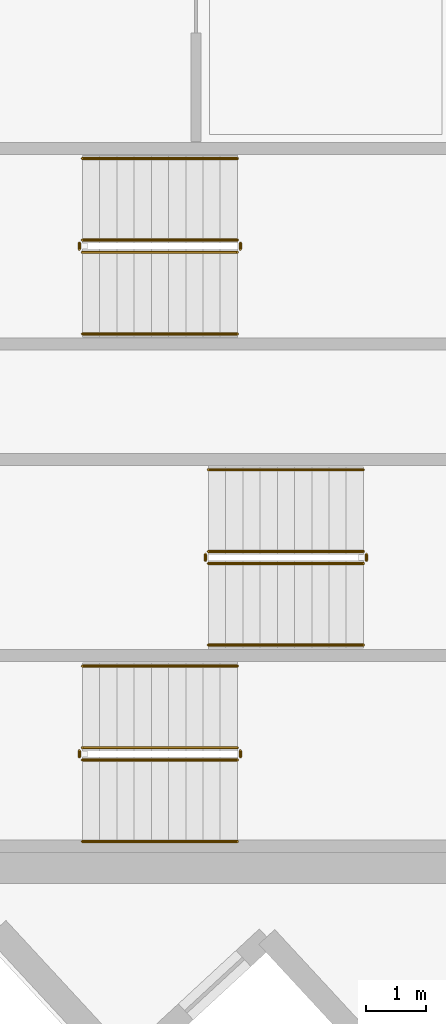
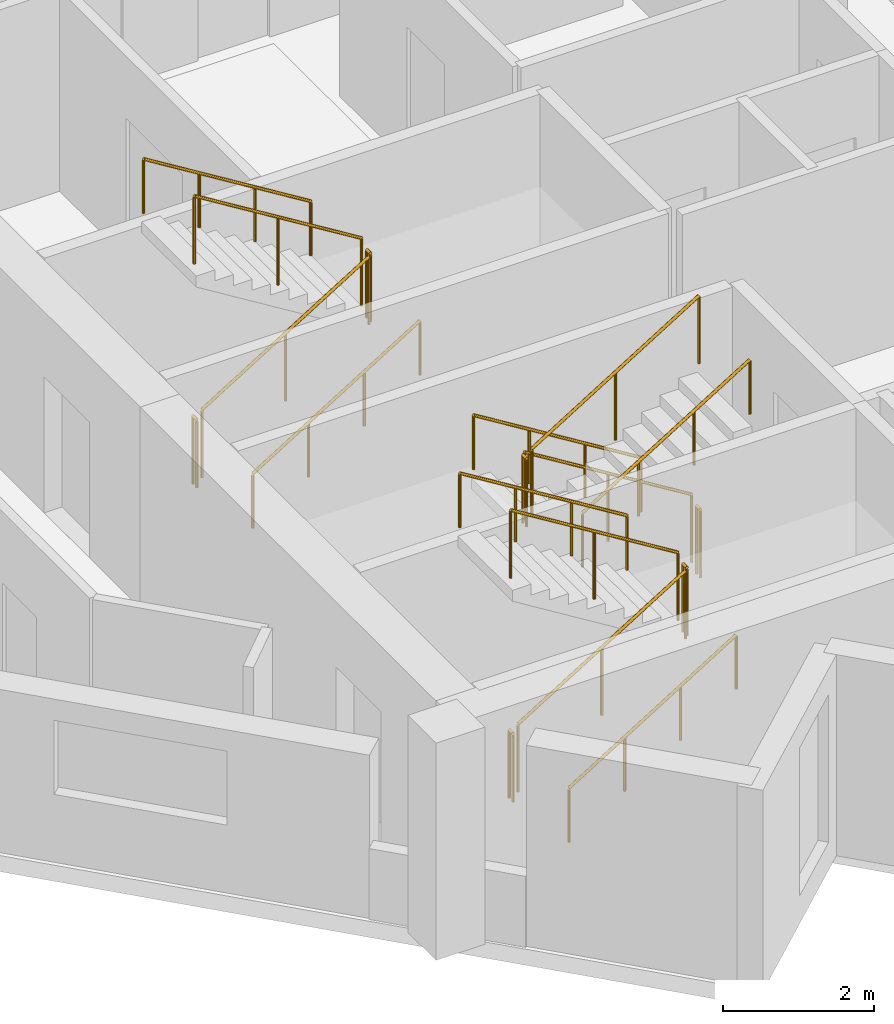
# One storey, part 12 of 13: 18 railings.
"""IFC4 building model written with IfcOpenShell, lengths in metres."""

from ifc_helpers import new_model, si_unit, direction, frame, origin, origin_2d, place, context, subcontext, project, spatial, circle, extrude, material, type_object, element, save


model = new_model("IFC4")

# Units and contexts
model_context = context("Model", 3, precision=1e-05, world=origin(), true_north=direction((0.0, 1.0)))
body_context = subcontext(model_context, "Body", "Model", "MODEL_VIEW")
ifc_project = project(units=[si_unit("LENGTHUNIT", "METRE"), si_unit("AREAUNIT", "SQUARE_METRE"), si_unit("VOLUMEUNIT", "CUBIC_METRE"), si_unit("PLANEANGLEUNIT", "RADIAN"), si_unit("MASSUNIT", "GRAM", prefix="KILO")], contexts=[model_context])

# Site, building, storey
site_placement = place(None, origin())
site = spatial("IfcSite", under=ifc_project, at=site_placement, CompositionType="ELEMENT")
building_placement = place(site_placement, origin())
building = spatial("IfcBuilding", under=site, at=building_placement, Name="Narakoshi Arena Tower", CompositionType="ELEMENT")
storey_placement = place(building_placement, frame((0.0, 0.0, 281.860107421875)))
storey = spatial("IfcBuildingStorey", under=building, at=storey_placement, Name="L77", CompositionType="ELEMENT", Elevation=281.860107421875)

# Railings
ifc_material_1 = material(Name="Clear low-iron laminated structural glass", Category="glass")
railing_type_1 = type_object("IfcRailingType", Name="RL-BAL-1100", PredefinedType="BALUSTRADE", material=ifc_material_1)
railing_1_placement = place(storey_placement, frame((74.39990234375, 36.949951171875, 0.17578125)))
element("IfcRailing", 1, at=railing_1_placement, inside=storey, type_object=railing_type_1, Name="L77 ST1 stair guard 1", PredefinedType="BALUSTRADE", context=body_context, shape_type="SweptSolid", body=[
    extrude(circle(Radius=0.02392578125, at=origin_2d()), frame((0.0, 0.0, 1.09619140625), z_axis=(0.850820357671, 0.0, 0.52545667659), x_axis=(0.0, 1.0, 0.0)), (0.0, 0.0, 1.0), 3.014892578125),
    extrude(circle(Radius=0.02099609375, at=origin_2d()), origin(), (0.0, 0.0, 1.0), 1.072021484375),
    extrude(circle(Radius=0.02099609375, at=origin_2d()), frame((1.28271484375, 0.0, 0.7919921875)), (0.0, 0.0, 1.0), 1.072021484375),
    extrude(circle(Radius=0.02099609375, at=origin_2d()), frame((2.565185546875, 0.0, 1.584228515625)), (0.0, 0.0, 1.0), 1.072021484375),
])
railing_2_placement = place(storey_placement, frame((77.014892578125, 37.0, 1.760009765625)))
element("IfcRailing", 2, at=railing_2_placement, inside=storey, type_object=railing_type_1, Name="L77 ST1 stair guard 2", PredefinedType="BALUSTRADE", context=body_context, shape_type="SweptSolid", body=[
    extrude(circle(Radius=0.02392578125, at=origin_2d()), frame((0.0, 0.0, 1.09619140625), z_axis=(0.0, 1.0, 0.0), x_axis=(-1.0, 0.0, 0.0)), (0.0, 0.0, 1.0), 0.10009765625),
    extrude(circle(Radius=0.02099609375, at=origin_2d()), origin(), (0.0, 0.0, 1.0), 1.072021484375),
    extrude(circle(Radius=0.02099609375, at=origin_2d()), frame((0.0, 0.10009765625, 0.0)), (0.0, 0.0, 1.0), 1.072021484375),
])
railing_3_placement = place(storey_placement, frame((76.965087890625, 37.14990234375, 1.935791015625)))
element("IfcRailing", 3, at=railing_3_placement, inside=storey, type_object=railing_type_1, Name="L77 ST1 stair guard 3", PredefinedType="BALUSTRADE", context=body_context, shape_type="SweptSolid", body=[
    extrude(circle(Radius=0.02392578125, at=origin_2d()), frame((0.0, 0.0, 1.09619140625), z_axis=(-0.850856559306, 0.0, 0.525398054323), x_axis=(0.0, -1.0, 0.0)), (0.0, 0.0, 1.0), 3.014892578125),
    extrude(circle(Radius=0.02099609375, at=origin_2d()), origin(), (0.0, 0.0, 1.0), 1.072021484375),
    extrude(circle(Radius=0.02099609375, at=origin_2d()), frame((-1.28271484375, 0.0, 0.7919921875)), (0.0, 0.0, 1.0), 1.072021484375),
    extrude(circle(Radius=0.02099609375, at=origin_2d()), frame((-2.565185546875, 0.0, 1.583984375)), (0.0, 0.0, 1.0), 1.072021484375),
])
railing_4_placement = place(storey_placement, frame((74.35009765625, 37.0, 0.0)))
element("IfcRailing", 4, at=railing_4_placement, inside=storey, type_object=railing_type_1, Name="L77 ST1 stair guard 4", PredefinedType="BALUSTRADE", context=body_context, shape_type="SweptSolid", body=[
    extrude(circle(Radius=0.02392578125, at=origin_2d()), frame((0.0, 0.0, 1.09619140625), z_axis=(0.0, 1.0, 0.0), x_axis=(-1.0, 0.0, 0.0)), (0.0, 0.0, 1.0), 0.10009765625),
    extrude(circle(Radius=0.02099609375, at=origin_2d()), origin(), (0.0, 0.0, 1.0), 1.072021484375),
    extrude(circle(Radius=0.02099609375, at=origin_2d()), frame((0.0, 0.10009765625, 0.0)), (0.0, 0.0, 1.0), 1.072021484375),
])
railing_5_placement = place(storey_placement, frame((79.050048828125, 40.39990234375, 0.17578125)))
element("IfcRailing", 5, at=railing_5_placement, inside=storey, type_object=railing_type_1, Name="L77 ST2 stair guard 1", PredefinedType="BALUSTRADE", context=body_context, shape_type="SweptSolid", body=[
    extrude(circle(Radius=0.02392578125, at=origin_2d()), frame((0.0, 0.0, 1.09619140625), z_axis=(-0.850797997359, 0.0, 0.525492880722), x_axis=(0.0, -1.0, 0.0)), (0.0, 0.0, 1.0), 3.0146484375),
    extrude(circle(Radius=0.02099609375, at=origin_2d()), origin(), (0.0, 0.0, 1.0), 1.072021484375),
    extrude(circle(Radius=0.02099609375, at=origin_2d()), frame((-1.282470703125, 0.0, 0.7919921875)), (0.0, 0.0, 1.0), 1.072021484375),
    extrude(circle(Radius=0.02099609375, at=origin_2d()), frame((-2.56494140625, 0.0, 1.584228515625)), (0.0, 0.0, 1.0), 1.072021484375),
])
railing_6_placement = place(storey_placement, frame((76.43505859375, 40.35009765625, 1.760009765625)))
element("IfcRailing", 6, at=railing_6_placement, inside=storey, type_object=railing_type_1, Name="L77 ST2 stair guard 2", PredefinedType="BALUSTRADE", context=body_context, shape_type="SweptSolid", body=[
    extrude(circle(Radius=0.02392578125, at=origin_2d()), frame((0.0, 0.0, 1.09619140625), z_axis=(0.0, -1.0, 0.0), x_axis=(1.0, 0.0, 0.0)), (0.0, 0.0, 1.0), 0.10009765625),
    extrude(circle(Radius=0.02099609375, at=origin_2d()), origin(), (0.0, 0.0, 1.0), 1.072021484375),
    extrude(circle(Radius=0.02099609375, at=origin_2d()), frame((0.0, -0.10009765625, 0.0)), (0.0, 0.0, 1.0), 1.072021484375),
])
railing_7_placement = place(storey_placement, frame((76.485107421875, 40.199951171875, 1.935791015625)))
element("IfcRailing", 7, at=railing_7_placement, inside=storey, type_object=railing_type_1, Name="L77 ST2 stair guard 3", PredefinedType="BALUSTRADE", context=body_context, shape_type="SweptSolid", body=[
    extrude(circle(Radius=0.02392578125, at=origin_2d()), frame((0.0, 0.0, 1.09619140625), z_axis=(0.850834203031, 0.0, 0.525434257497), x_axis=(0.0, 1.0, 0.0)), (0.0, 0.0, 1.0), 3.0146484375),
    extrude(circle(Radius=0.02099609375, at=origin_2d()), origin(), (0.0, 0.0, 1.0), 1.072021484375),
    extrude(circle(Radius=0.02099609375, at=origin_2d()), frame((1.282470703125, 0.0, 0.7919921875)), (0.0, 0.0, 1.0), 1.072021484375),
    extrude(circle(Radius=0.02099609375, at=origin_2d()), frame((2.56494140625, 0.0, 1.583984375)), (0.0, 0.0, 1.0), 1.072021484375),
])
railing_8_placement = place(storey_placement, frame((79.10009765625, 40.35009765625, 0.0)))
element("IfcRailing", 8, at=railing_8_placement, inside=storey, type_object=railing_type_1, Name="L77 ST2 stair guard 4", PredefinedType="BALUSTRADE", context=body_context, shape_type="SweptSolid", body=[
    extrude(circle(Radius=0.02392578125, at=origin_2d()), frame((0.0, 0.0, 1.09619140625), z_axis=(0.0, -1.0, 0.0), x_axis=(1.0, 0.0, 0.0)), (0.0, 0.0, 1.0), 0.10009765625),
    extrude(circle(Radius=0.02099609375, at=origin_2d()), origin(), (0.0, 0.0, 1.0), 1.072021484375),
    extrude(circle(Radius=0.02099609375, at=origin_2d()), frame((0.0, -0.10009765625, 0.0)), (0.0, 0.0, 1.0), 1.072021484375),
])
railing_9_placement = place(storey_placement, frame((74.39990234375, 45.35009765625, 0.17578125)))
element("IfcRailing", 9, at=railing_9_placement, inside=storey, type_object=railing_type_1, Name="L77 ST3 stair guard 1", PredefinedType="BALUSTRADE", context=body_context, shape_type="SweptSolid", body=[
    extrude(circle(Radius=0.02392578125, at=origin_2d()), frame((0.0, 0.0, 1.09619140625), z_axis=(0.850820357671, 0.0, 0.52545667659), x_axis=(0.0, 1.0, 0.0)), (0.0, 0.0, 1.0), 3.014892578125),
    extrude(circle(Radius=0.02099609375, at=origin_2d()), origin(), (0.0, 0.0, 1.0), 1.072021484375),
    extrude(circle(Radius=0.02099609375, at=origin_2d()), frame((1.28271484375, 0.0, 0.7919921875)), (0.0, 0.0, 1.0), 1.072021484375),
    extrude(circle(Radius=0.02099609375, at=origin_2d()), frame((2.565185546875, 0.0, 1.584228515625)), (0.0, 0.0, 1.0), 1.072021484375),
])
railing_10_placement = place(storey_placement, frame((77.014892578125, 45.39990234375, 1.760009765625)))
element("IfcRailing", 10, at=railing_10_placement, inside=storey, type_object=railing_type_1, Name="L77 ST3 stair guard 2", PredefinedType="BALUSTRADE", context=body_context, shape_type="SweptSolid", body=[
    extrude(circle(Radius=0.02392578125, at=origin_2d()), frame((0.0, 0.0, 1.09619140625), z_axis=(0.0, 1.0, 0.0), x_axis=(-1.0, 0.0, 0.0)), (0.0, 0.0, 1.0), 0.10009765625),
    extrude(circle(Radius=0.02099609375, at=origin_2d()), origin(), (0.0, 0.0, 1.0), 1.072021484375),
    extrude(circle(Radius=0.02099609375, at=origin_2d()), frame((0.0, 0.10009765625, 0.0)), (0.0, 0.0, 1.0), 1.072021484375),
])
railing_11_placement = place(storey_placement, frame((76.965087890625, 45.550048828125, 1.935791015625)))
element("IfcRailing", 11, at=railing_11_placement, inside=storey, type_object=railing_type_1, Name="L77 ST3 stair guard 3", PredefinedType="BALUSTRADE", context=body_context, shape_type="SweptSolid", body=[
    extrude(circle(Radius=0.02392578125, at=origin_2d()), frame((0.0, 0.0, 1.09619140625), z_axis=(-0.850856559306, 0.0, 0.525398054323), x_axis=(0.0, -1.0, 0.0)), (0.0, 0.0, 1.0), 3.014892578125),
    extrude(circle(Radius=0.02099609375, at=origin_2d()), origin(), (0.0, 0.0, 1.0), 1.072021484375),
    extrude(circle(Radius=0.02099609375, at=origin_2d()), frame((-1.28271484375, 0.0, 0.7919921875)), (0.0, 0.0, 1.0), 1.072021484375),
    extrude(circle(Radius=0.02099609375, at=origin_2d()), frame((-2.565185546875, 0.0, 1.583984375)), (0.0, 0.0, 1.0), 1.072021484375),
])
railing_12_placement = place(storey_placement, frame((74.35009765625, 45.39990234375, 0.0)))
element("IfcRailing", 12, at=railing_12_placement, inside=storey, type_object=railing_type_1, Name="L77 ST3 stair guard 4", PredefinedType="BALUSTRADE", context=body_context, shape_type="SweptSolid", body=[
    extrude(circle(Radius=0.02392578125, at=origin_2d()), frame((0.0, 0.0, 1.09619140625), z_axis=(0.0, 1.0, 0.0), x_axis=(-1.0, 0.0, 0.0)), (0.0, 0.0, 1.0), 0.10009765625),
    extrude(circle(Radius=0.02099609375, at=origin_2d()), origin(), (0.0, 0.0, 1.0), 1.072021484375),
    extrude(circle(Radius=0.02099609375, at=origin_2d()), frame((0.0, 0.10009765625, 0.0)), (0.0, 0.0, 1.0), 1.072021484375),
])
ifc_material_2 = material(Name="Brushed bronze stainless steel", Category="steel")
railing_type_2 = type_object("IfcRailingType", Name="RL-HND-900", PredefinedType="HANDRAIL", material=ifc_material_2)
railing_13_placement = place(storey_placement, frame((74.39990234375, 35.60009765625, 0.17578125)))
element("IfcRailing", 13, at=railing_13_placement, inside=storey, type_object=railing_type_2, Name="L77 ST1 stair handrail 1", PredefinedType="HANDRAIL", context=body_context, shape_type="SweptSolid", body=[
    extrude(circle(Radius=0.02392578125, at=origin_2d()), frame((0.0, 0.0, 0.8759765625), z_axis=(0.850820357671, 0.0, 0.52545667659), x_axis=(0.0, 1.0, 0.0)), (0.0, 0.0, 1.0), 3.014892578125),
    extrude(circle(Radius=0.02099609375, at=origin_2d()), origin(), (0.0, 0.0, 1.0), 0.851806640625),
    extrude(circle(Radius=0.02099609375, at=origin_2d()), frame((0.85498046875, 0.0, 0.528076171875)), (0.0, 0.0, 1.0), 0.851806640625),
    extrude(circle(Radius=0.02099609375, at=origin_2d()), frame((1.710205078125, 0.0, 1.05615234375)), (0.0, 0.0, 1.0), 0.851806640625),
    extrude(circle(Radius=0.02099609375, at=origin_2d()), frame((2.565185546875, 0.0, 1.584228515625)), (0.0, 0.0, 1.0), 0.851806640625),
])
railing_14_placement = place(storey_placement, frame((76.965087890625, 38.5, 1.935791015625)))
element("IfcRailing", 14, at=railing_14_placement, inside=storey, type_object=railing_type_2, Name="L77 ST1 stair handrail 2", PredefinedType="HANDRAIL", context=body_context, shape_type="SweptSolid", body=[
    extrude(circle(Radius=0.02392578125, at=origin_2d()), frame((0.0, 0.0, 0.8759765625), z_axis=(-0.850856559306, 0.0, 0.525398054323), x_axis=(0.0, -1.0, 0.0)), (0.0, 0.0, 1.0), 3.014892578125),
    extrude(circle(Radius=0.02099609375, at=origin_2d()), origin(), (0.0, 0.0, 1.0), 0.851806640625),
    extrude(circle(Radius=0.02099609375, at=origin_2d()), frame((-0.85498046875, 0.0, 0.528076171875)), (0.0, 0.0, 1.0), 0.851806640625),
    extrude(circle(Radius=0.02099609375, at=origin_2d()), frame((-1.710205078125, 0.0, 1.055908203125)), (0.0, 0.0, 1.0), 0.851806640625),
    extrude(circle(Radius=0.02099609375, at=origin_2d()), frame((-2.565185546875, 0.0, 1.583984375)), (0.0, 0.0, 1.0), 0.851806640625),
])
railing_15_placement = place(storey_placement, frame((79.050048828125, 41.75, 0.17578125)))
element("IfcRailing", 15, at=railing_15_placement, inside=storey, type_object=railing_type_2, Name="L77 ST2 stair handrail 1", PredefinedType="HANDRAIL", context=body_context, shape_type="SweptSolid", body=[
    extrude(circle(Radius=0.02392578125, at=origin_2d()), frame((0.0, 0.0, 0.8759765625), z_axis=(-0.850797997359, 0.0, 0.525492880722), x_axis=(0.0, -1.0, 0.0)), (0.0, 0.0, 1.0), 3.0146484375),
    extrude(circle(Radius=0.02099609375, at=origin_2d()), origin(), (0.0, 0.0, 1.0), 0.851806640625),
    extrude(circle(Radius=0.02099609375, at=origin_2d()), frame((-0.85498046875, 0.0, 0.528076171875)), (0.0, 0.0, 1.0), 0.851806640625),
    extrude(circle(Radius=0.02099609375, at=origin_2d()), frame((-1.7099609375, 0.0, 1.05615234375)), (0.0, 0.0, 1.0), 0.851806640625),
    extrude(circle(Radius=0.02099609375, at=origin_2d()), frame((-2.56494140625, 0.0, 1.584228515625)), (0.0, 0.0, 1.0), 0.851806640625),
])
railing_16_placement = place(storey_placement, frame((76.485107421875, 38.85009765625, 1.935791015625)))
element("IfcRailing", 16, at=railing_16_placement, inside=storey, type_object=railing_type_2, Name="L77 ST2 stair handrail 2", PredefinedType="HANDRAIL", context=body_context, shape_type="SweptSolid", body=[
    extrude(circle(Radius=0.02392578125, at=origin_2d()), frame((0.0, 0.0, 0.8759765625), z_axis=(0.850834203031, 0.0, 0.525434257497), x_axis=(0.0, 1.0, 0.0)), (0.0, 0.0, 1.0), 3.0146484375),
    extrude(circle(Radius=0.02099609375, at=origin_2d()), origin(), (0.0, 0.0, 1.0), 0.851806640625),
    extrude(circle(Radius=0.02099609375, at=origin_2d()), frame((0.85498046875, 0.0, 0.528076171875)), (0.0, 0.0, 1.0), 0.851806640625),
    extrude(circle(Radius=0.02099609375, at=origin_2d()), frame((1.7099609375, 0.0, 1.055908203125)), (0.0, 0.0, 1.0), 0.851806640625),
    extrude(circle(Radius=0.02099609375, at=origin_2d()), frame((2.56494140625, 0.0, 1.583984375)), (0.0, 0.0, 1.0), 0.851806640625),
])
railing_17_placement = place(storey_placement, frame((74.39990234375, 44.0, 0.17578125)))
element("IfcRailing", 17, at=railing_17_placement, inside=storey, type_object=railing_type_2, Name="L77 ST3 stair handrail 1", PredefinedType="HANDRAIL", context=body_context, shape_type="SweptSolid", body=[
    extrude(circle(Radius=0.02392578125, at=origin_2d()), frame((0.0, 0.0, 0.8759765625), z_axis=(0.850820357671, 0.0, 0.52545667659), x_axis=(0.0, 1.0, 0.0)), (0.0, 0.0, 1.0), 3.014892578125),
    extrude(circle(Radius=0.02099609375, at=origin_2d()), origin(), (0.0, 0.0, 1.0), 0.851806640625),
    extrude(circle(Radius=0.02099609375, at=origin_2d()), frame((0.85498046875, 0.0, 0.528076171875)), (0.0, 0.0, 1.0), 0.851806640625),
    extrude(circle(Radius=0.02099609375, at=origin_2d()), frame((1.710205078125, 0.0, 1.05615234375)), (0.0, 0.0, 1.0), 0.851806640625),
    extrude(circle(Radius=0.02099609375, at=origin_2d()), frame((2.565185546875, 0.0, 1.584228515625)), (0.0, 0.0, 1.0), 0.851806640625),
])
railing_18_placement = place(storey_placement, frame((76.965087890625, 46.89990234375, 1.935791015625)))
element("IfcRailing", 18, at=railing_18_placement, inside=storey, type_object=railing_type_2, Name="L77 ST3 stair handrail 2", PredefinedType="HANDRAIL", context=body_context, shape_type="SweptSolid", body=[
    extrude(circle(Radius=0.02392578125, at=origin_2d()), frame((0.0, 0.0, 0.8759765625), z_axis=(-0.850856559306, 0.0, 0.525398054323), x_axis=(0.0, -1.0, 0.0)), (0.0, 0.0, 1.0), 3.014892578125),
    extrude(circle(Radius=0.02099609375, at=origin_2d()), origin(), (0.0, 0.0, 1.0), 0.851806640625),
    extrude(circle(Radius=0.02099609375, at=origin_2d()), frame((-0.85498046875, 0.0, 0.528076171875)), (0.0, 0.0, 1.0), 0.851806640625),
    extrude(circle(Radius=0.02099609375, at=origin_2d()), frame((-1.710205078125, 0.0, 1.055908203125)), (0.0, 0.0, 1.0), 0.851806640625),
    extrude(circle(Radius=0.02099609375, at=origin_2d()), frame((-2.565185546875, 0.0, 1.583984375)), (0.0, 0.0, 1.0), 0.851806640625),
])

save(model, "model.ifc")
